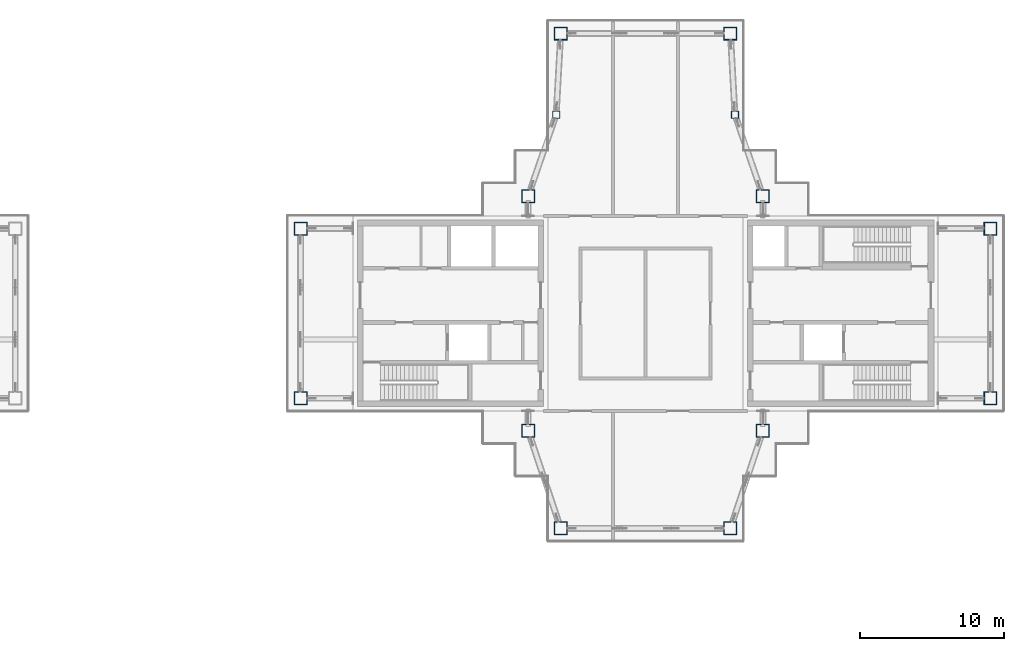
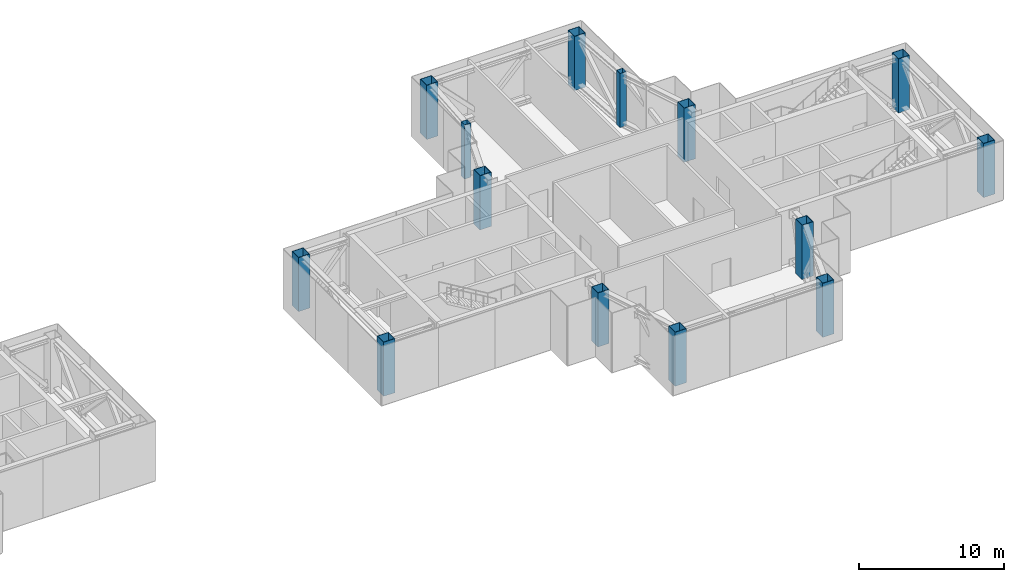
# One storey, part 2 of 18: 14 columns.
"""IFC4 building model written with IfcOpenShell, lengths in metres."""

from ifc_helpers import new_model, si_unit, direction, frame, origin, origin_2d, place, context, subcontext, project, spatial, hollow_rectangle, extrude, material, material_profile, profile_set, type_object, element, save


model = new_model("IFC4")

# Units and contexts
model_context = context("Model", 3, precision=1e-05, world=origin(), true_north=direction((0.0, 1.0)))
body_context = subcontext(model_context, "Body", "Model", "MODEL_VIEW")
ifc_project = project(units=[si_unit("LENGTHUNIT", "METRE"), si_unit("AREAUNIT", "SQUARE_METRE"), si_unit("VOLUMEUNIT", "CUBIC_METRE"), si_unit("PLANEANGLEUNIT", "RADIAN"), si_unit("MASSUNIT", "GRAM", prefix="KILO")], contexts=[model_context])

# Site, building, storey
site_placement = place(None, origin())
site = spatial("IfcSite", under=ifc_project, at=site_placement, CompositionType="ELEMENT")
building_placement = place(site_placement, origin())
building = spatial("IfcBuilding", under=site, at=building_placement, Name="Shamsa Quay Exchange Towers", CompositionType="ELEMENT")
storey_placement = place(building_placement, frame((0.0, 0.0, 273.300048828125)))
storey = spatial("IfcBuildingStorey", under=building, at=storey_placement, Name="L66", CompositionType="ELEMENT", Elevation=273.300048828125)

# Columns
ifc_material_1 = material(Name="Concrete-filled steel tube S355 / C60/75", Category="concrete")
ifc_material_profile_1 = material_profile(ifc_material_1, hollow_rectangle(XDim=0.5, YDim=0.5, WallThickness=0.01611328125, at=origin_2d()), Name="CFT 500x500x16")
ifc_profile_set_1 = profile_set([ifc_material_profile_1], Name="Concrete-filled steel tube S355 / C60/75")
column_type_1 = type_object("IfcColumnType", Name="Column CFT 500x500x16", PredefinedType="COLUMN", material=ifc_profile_set_1)
for number, where, name in (
    (1, (39.9375, 13.75, 0.0), "Perimeter column T2-CP05"),
    (2, (27.5625, 13.75, 0.0), "Perimeter column T2-CP09"),
):
    element("IfcColumn", number, at=place(storey_placement, frame(where)), inside=storey, type_object=column_type_1, Name=name, PredefinedType="COLUMN", context=body_context, shape_type="SweptSolid", body=[
        extrude(hollow_rectangle(XDim=0.5, YDim=0.5, WallThickness=0.01611328125, at=origin_2d()), origin(), (0.0, 0.0, 1.0), 4.550048828125),
    ])
ifc_material_2 = material(Name="Concrete-filled steel tube S355 / C80/95", Category="concrete")
ifc_material_profile_2 = material_profile(ifc_material_2, hollow_rectangle(XDim=0.89990234375, YDim=0.89990234375, WallThickness=0.035888671875, at=origin_2d()), Name="CFT 900x900x36")
ifc_profile_set_2 = profile_set([ifc_material_profile_2], Name="Concrete-filled steel tube S355 / C80/95")
column_type_2 = type_object("IfcColumnType", Name="Column CFT 900x900x36", PredefinedType="COLUMN", material=ifc_profile_set_2)
for number, where, name in (
    (3, (25.625, 8.125, 0.0), "Mega column T2-CM01"),
    (4, (41.875, 8.125, 0.0), "Mega column T2-CM02"),
    (5, (25.625, -8.125, 0.0), "Mega column T2-CM03"),
    (6, (41.875, -8.125, 0.0), "Mega column T2-CM04"),
    (7, (39.625, 19.375, 0.0), "Mega column T2-CM06"),
    (8, (27.875, 19.375, 0.0), "Mega column T2-CM10"),
    (9, (39.625, -14.875, 0.0), "Mega column T2-CM13"),
    (10, (27.875, -14.875, 0.0), "Mega column T2-CM16"),
    (11, (9.875, -5.875, 0.0), "Mega column T2-CM19"),
    (12, (9.875, 5.875, 0.0), "Mega column T2-CM20"),
    (13, (57.625, -5.875, 0.0), "Mega column T2-CM21"),
    (14, (57.625, 5.875, 0.0), "Mega column T2-CM23"),
):
    element("IfcColumn", number, at=place(storey_placement, frame(where)), inside=storey, type_object=column_type_2, Name=name, PredefinedType="COLUMN", context=body_context, shape_type="SweptSolid", body=[
        extrude(hollow_rectangle(XDim=0.89990234375, YDim=0.89990234375, WallThickness=0.035888671875, at=origin_2d()), origin(), (0.0, 0.0, 1.0), 4.550048828125),
    ])

save(model, "model.ifc")
